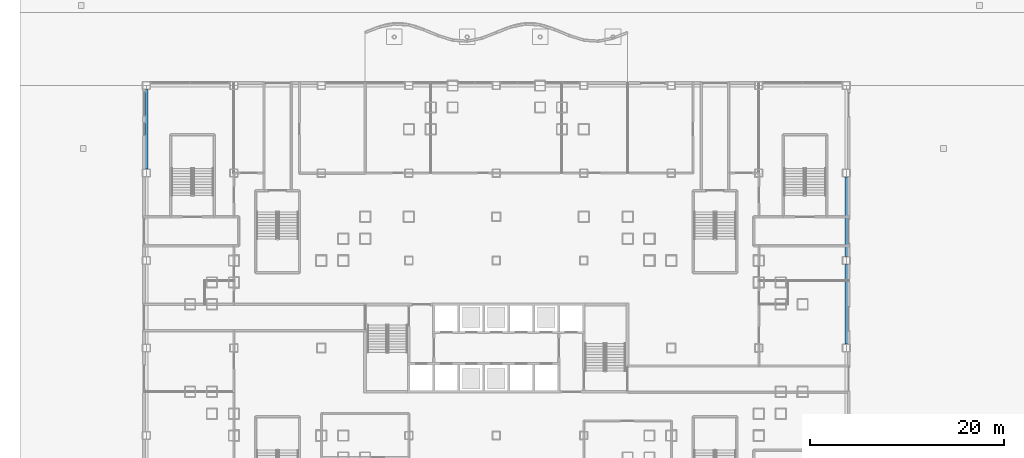
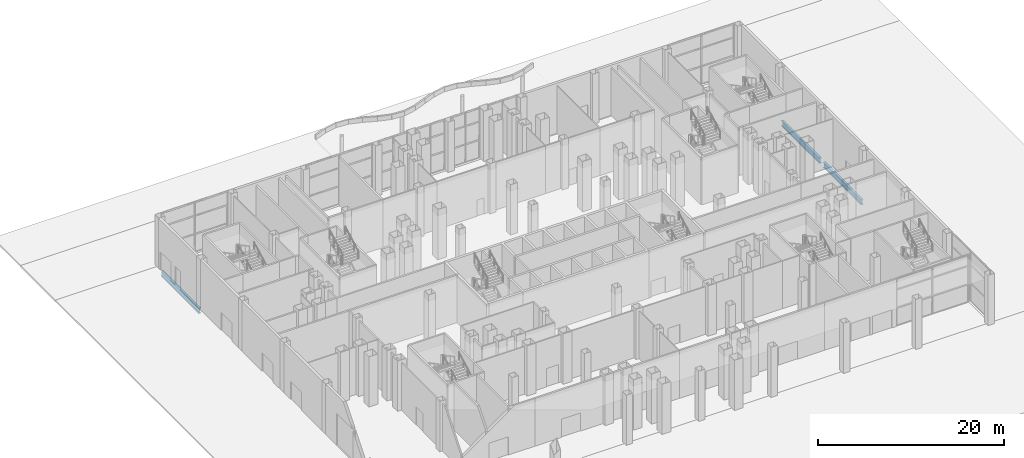
# One storey, part 7 of 38: 3 beams.
"""IFC4 building model written with IfcOpenShell, lengths in metres."""

import ifcopenshell
import ifcopenshell.guid

model = None  # the IFC model being written
_history = None  # IfcOwnerHistory: only IFC2X3 demands one
_inside = {}  # id of a spatial element -> (the spatial element, [elements in it])
_under = {}  # id of a project, library or spatial element -> (it, [spatial elements below it])
_declared = {}  # id of a project -> (the project, [libraries it declares])
_typed = {}  # id of a type object -> (the type object, [elements of that type])
_made_of = {}  # id of a material, layer set ... -> (it, [elements and type objects made of it])


def new_model(schema):
    """Start an empty IFC model of exactly this schema.

    Asked for "IFC4X3", IfcOpenShell would pick the latest addendum, in which some entities
    have other attributes; the version numbers below select the first issue.
    IFC2X3 requires an IfcOwnerHistory on every rooted entity: one is made here for all.
    """
    global model, _history
    if schema == "IFC4X3":
        model = ifcopenshell.file(schema_version=(4, 3, 0, 0))
    else:
        model = ifcopenshell.file(schema=schema)
    _inside.clear()
    _under.clear()
    _declared.clear()
    _typed.clear()
    _made_of.clear()
    _history = None
    if model.schema == "IFC2X3":
        org = make("IfcOrganization", Name="unknown")
        user = make(
            "IfcPersonAndOrganization",
            ThePerson=make("IfcPerson", FamilyName="unknown"),
            TheOrganization=org,
        )
        app = make(
            "IfcApplication",
            ApplicationDeveloper=org,
            Version="unknown",
            ApplicationFullName="unknown",
            ApplicationIdentifier="unknown",
        )
        _history = make(
            "IfcOwnerHistory",
            OwningUser=user,
            OwningApplication=app,
            ChangeAction="ADDED",
            CreationDate=0,
        )
    return model


def make(cls, **values):
    """One entity of the class cls with the attributes given. An attribute that is None is left unset."""
    return model.create_entity(
        cls, **{name: value for name, value in values.items() if value is not None}
    )


def rooted(cls, **values):
    """An entity with a GlobalId (a new one), such as an element, a storey or a relation."""
    return make(cls, GlobalId=ifcopenshell.guid.new(), OwnerHistory=_history, **values)


def si_unit(unit_type, name, prefix=None):
    """IfcSIUnit, for example si_unit("LENGTHUNIT", "METRE", prefix="MILLI")."""
    return make("IfcSIUnit", UnitType=unit_type, Prefix=prefix, Name=name)


def assignment(units):
    """IfcUnitAssignment: the units of a project."""
    return None if units is None else make("IfcUnitAssignment", Units=units)


def point(xyz):
    """IfcCartesianPoint."""
    return None if xyz is None else make("IfcCartesianPoint", Coordinates=xyz)


def direction(xyz):
    """IfcDirection."""
    return None if xyz is None else make("IfcDirection", DirectionRatios=xyz)


def frame(location, z_axis=None, x_axis=None):
    """IfcAxis2Placement3D, a coordinate frame: its origin and axes. An axis left out is left unset."""
    return make(
        "IfcAxis2Placement3D",
        Location=point(location),
        Axis=direction(z_axis),
        RefDirection=direction(x_axis),
    )


def frame_2d(location, x_axis=None):
    """IfcAxis2Placement2D, a coordinate frame in the plane: its origin and x axis."""
    return make(
        "IfcAxis2Placement2D", Location=point(location), RefDirection=direction(x_axis)
    )


def origin():
    """The frame at (0, 0, 0) with its axes left unset."""
    return frame((0.0, 0.0, 0.0))


def origin_2d():
    """The frame at (0, 0) in the plane with its x axis left unset."""
    return frame_2d((0.0, 0.0))


def place(relative_to, where):
    """IfcLocalPlacement: puts the frame where relative to a parent placement (None: the world)."""
    return make(
        "IfcLocalPlacement", PlacementRelTo=relative_to, RelativePlacement=where
    )


def context(
    kind, dimensions, precision=None, world=None, true_north=None, identifier=None
):
    """IfcGeometricRepresentationContext, for example the 3D "Model" context."""
    return make(
        "IfcGeometricRepresentationContext",
        ContextIdentifier=identifier,
        ContextType=kind,
        CoordinateSpaceDimension=dimensions,
        Precision=precision,
        WorldCoordinateSystem=world,
        TrueNorth=true_north,
    )


def subcontext(parent, identifier, kind, view, scale=None):
    """IfcGeometricRepresentationSubContext, for example "Body" below "Model"."""
    return make(
        "IfcGeometricRepresentationSubContext",
        ContextIdentifier=identifier,
        ContextType=kind,
        ParentContext=parent,
        TargetScale=scale,
        TargetView=view,
    )


def project(units=None, contexts=None):
    """IfcProject with its units and contexts."""
    return rooted(
        "IfcProject",
        Name="project",
        RepresentationContexts=contexts,
        UnitsInContext=assignment(units),
    )


def spatial(cls, under=None, at=None, **own):
    """A site, building, storey or space (cls), placed at a placement, below another one or the project."""
    s = rooted(cls, ObjectPlacement=at, **own)
    if under is not None:
        _under.setdefault(under.id(), (under, []))[1].append(s)
    return s


def profile(cls, at=None, kind="AREA", **sizes):
    """A parametric profile (cls). Its sizes go by their IFC names, for example OverallWidth=200.0."""
    return make(cls, ProfileType=kind, Position=at, **sizes)


def i_section(**sizes):
    """IfcIShapeProfileDef."""
    return profile("IfcIShapeProfileDef", **sizes)


def extrude(swept, where, along, depth):
    """IfcExtrudedAreaSolid: the profile swept, set in the frame where, extruded along a direction by depth."""
    return make(
        "IfcExtrudedAreaSolid",
        SweptArea=swept,
        Position=where,
        ExtrudedDirection=direction(along),
        Depth=depth,
    )


def shape(context_of_items, identifier, shape_type, items):
    """IfcShapeRepresentation: the items that make up one representation, for example the "Body"."""
    return make(
        "IfcShapeRepresentation",
        ContextOfItems=context_of_items,
        RepresentationIdentifier=identifier,
        RepresentationType=shape_type,
        Items=items,
    )


def material(Name=None, Category=None):
    """IfcMaterial."""
    return make("IfcMaterial", Name=Name, Category=Category)


def material_profile(
    of_material, cross_section, Name=None, Category=None, Priority=None
):
    """IfcMaterialProfile: a cross section and its material."""
    return make(
        "IfcMaterialProfile",
        Name=Name,
        Material=of_material,
        Profile=cross_section,
        Priority=Priority,
        Category=Category,
    )


def profile_set(profiles, Name=None, composite=None):
    """IfcMaterialProfileSet."""
    return make(
        "IfcMaterialProfileSet",
        Name=Name,
        MaterialProfiles=profiles,
        CompositeProfile=composite,
    )


def made_of(thing, what):
    """Note that an element or type object is made of a material, layer set ...; save() writes the relation."""
    if what is not None:
        _made_of.setdefault(what.id(), (what, []))[1].append(thing)
    return thing


def type_object(cls, material=None, **own):
    """A type object (cls), such as IfcWallType, which elements share."""
    return made_of(rooted(cls, **own), material)


def element(
    cls,
    number,
    at=None,
    inside=None,
    cuts=None,
    type_object=None,
    material=None,
    context=None,
    identifier="Body",
    shape_type=None,
    held_by="IfcProductDefinitionShape",
    body=None,
    shapes=None,
    **own,
):
    """One element of the class cls, such as IfcWall. Its Tag is "e" and its number.

    at: its placement. inside: the storey or other place that contains it. cuts: it is an
    opening in that element (IfcRelVoidsElement). A single representation is given by context,
    identifier, shape_type and body (its items); several are given by shapes. held_by: the class
    of the entity that holds the representations. save() writes the other relations.
    """
    e = rooted(cls, Tag="e%d" % number, ObjectPlacement=at, **own)
    if body is not None:
        shapes = [shape(context, identifier, shape_type, body)]
    if shapes is not None:
        e.Representation = make(held_by, Representations=shapes)
    if inside is not None:
        _inside.setdefault(inside.id(), (inside, []))[1].append(e)
    if cuts is not None:
        rooted(
            "IfcRelVoidsElement", RelatingBuildingElement=cuts, RelatedOpeningElement=e
        )
    if type_object is not None:
        _typed.setdefault(type_object.id(), (type_object, []))[1].append(e)
    return made_of(e, material)


def aggregate(whole, parts):
    """IfcRelAggregates: a whole, such as a stair, and the parts it consists of."""
    return rooted("IfcRelAggregates", RelatingObject=whole, RelatedObjects=parts)


def save(model, path):
    """Write the relations noted so far, then the file.

    IfcRelAggregates (storeys below a building ...), IfcRelContainedInSpatialStructure (elements
    in a storey), IfcRelDefinesByType, IfcRelAssociatesMaterial and IfcRelDeclares: one each for
    every whole, place, type object, material and project.
    """
    for whole, parts in _under.values():
        aggregate(whole, parts)
    for where, things in _inside.values():
        rooted(
            "IfcRelContainedInSpatialStructure",
            RelatedElements=things,
            RelatingStructure=where,
        )
    for kind, things in _typed.values():
        rooted("IfcRelDefinesByType", RelatedObjects=things, RelatingType=kind)
    for what, things in _made_of.values():
        rooted("IfcRelAssociatesMaterial", RelatedObjects=things, RelatingMaterial=what)
    for by, libraries in _declared.values():
        rooted("IfcRelDeclares", RelatingContext=by, RelatedDefinitions=libraries)
    model.write(path)


model = new_model("IFC4")

# Units and contexts
model_context = context("Model", 3, precision=1e-05, world=origin(), true_north=direction((0.0, 1.0)))
body_context = subcontext(model_context, "Body", "Model", "MODEL_VIEW")
ifc_project = project(units=[si_unit("LENGTHUNIT", "METRE"), si_unit("AREAUNIT", "SQUARE_METRE"), si_unit("VOLUMEUNIT", "CUBIC_METRE"), si_unit("PLANEANGLEUNIT", "RADIAN"), si_unit("MASSUNIT", "GRAM", prefix="KILO")], contexts=[model_context])

# Site, building, storey
site_placement = place(None, origin())
site = spatial("IfcSite", under=ifc_project, at=site_placement, CompositionType="ELEMENT")
building_placement = place(site_placement, origin())
building = spatial("IfcBuilding", under=site, at=building_placement, Name="Caravel Reach Hotel and Residences", CompositionType="ELEMENT")
storey_placement = place(building_placement, origin())
storey = spatial("IfcBuildingStorey", under=building, at=storey_placement, Name="L00", CompositionType="ELEMENT", Elevation=0.0)

# Beams
ifc_material = material(Name="Structural steel Q355B", Category="steel")
ifc_material_profile = material_profile(ifc_material, i_section(OverallWidth=0.300048828125, OverallDepth=0.699951171875, WebThickness=0.012939453125, FlangeThickness=0.02392578125, FilletRadius=0.01806640625, at=origin_2d()), Name="HN 700x300x13x24")
ifc_profile_set = profile_set([ifc_material_profile], Name="Structural steel Q355B")
beam_type = type_object("IfcBeamType", Name="Spandrel beam HN 700x300x13x24", PredefinedType="SPANDREL", material=ifc_profile_set)
for number, where, z_axis, x_axis, name in (
    (1, (67.5, 27.39990234375, -0.75), (0.0, 1.0, 0.0), (-1.0, 0.0, 0.0), "SP2 HN 700x300x13x24"),
    (2, (67.5, 36.39990234375, -0.75), (0.0, 1.0, 0.0), (-1.0, 0.0, 0.0), "SP2 HN 700x300x13x24"),
    (3, (-4.5, 53.60009765625, -0.75), (0.0, -1.0, 0.0), (1.0, 0.0, 0.0), "SP2 HN 700x300x13x24"),
):
    element("IfcBeam", number, at=place(storey_placement, frame(where, z_axis=z_axis, x_axis=x_axis)), inside=storey, type_object=beam_type, Name=name, PredefinedType="SPANDREL", context=body_context, shape_type="SweptSolid", body=[
        extrude(i_section(OverallWidth=0.300048828125, OverallDepth=0.699951171875, WebThickness=0.012939453125, FlangeThickness=0.02392578125, FilletRadius=0.01806640625, at=origin_2d()), origin(), (0.0, 0.0, 1.0), 8.2001953125),
    ])

save(model, "model.ifc")
